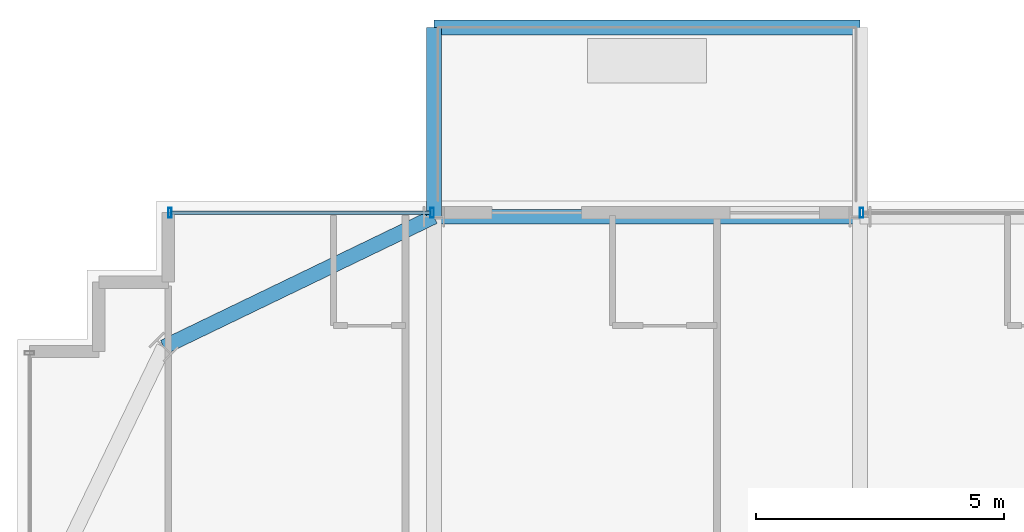
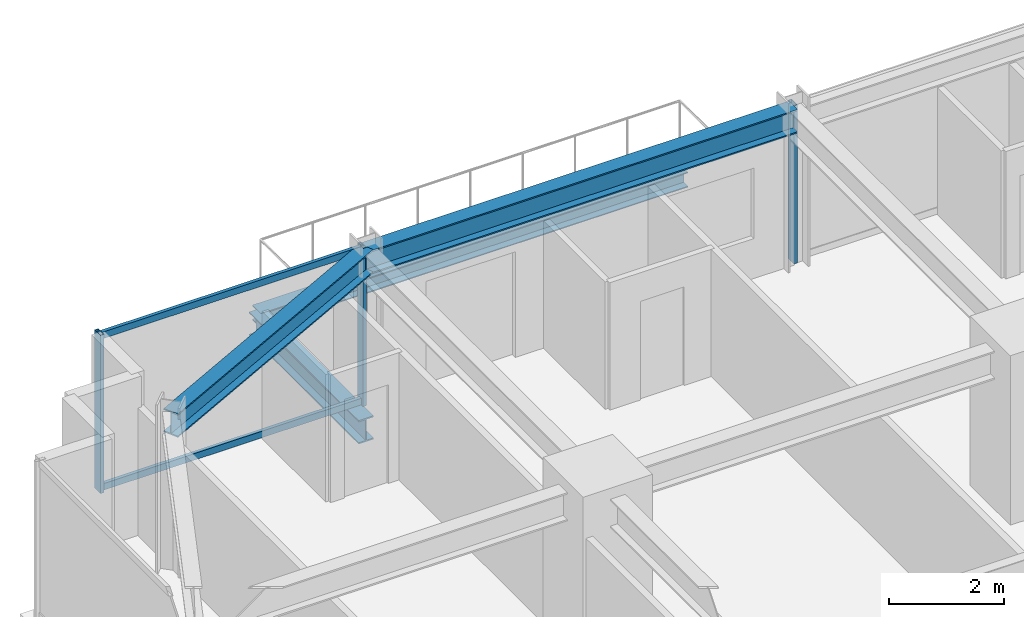
# One storey, part 27 of 41: 5 members, 4 beams, 2 elements without a shape of their own.
"""IFC4 building model written with IfcOpenShell, lengths in metres."""

from ifc_helpers import new_model, si_unit, direction, frame, origin, origin_2d, place, context, subcontext, project, spatial, hollow_rectangle, i_section, extrude, source, transform, mapped, material, material_profile, profile_set, type_object, element, aggregate, save


model = new_model("IFC4")

# Units and contexts
model_context = context("Model", 3, precision=1e-05, world=origin(), true_north=direction((0.0, 1.0)))
body_context = subcontext(model_context, "Body", "Model", "MODEL_VIEW")
ifc_project = project(units=[si_unit("LENGTHUNIT", "METRE"), si_unit("AREAUNIT", "SQUARE_METRE"), si_unit("VOLUMEUNIT", "CUBIC_METRE"), si_unit("PLANEANGLEUNIT", "RADIAN"), si_unit("MASSUNIT", "GRAM", prefix="KILO")], contexts=[model_context])

# Site, building, storey
site_placement = place(None, origin())
site = spatial("IfcSite", under=ifc_project, at=site_placement, CompositionType="ELEMENT")
building_placement = place(site_placement, origin())
building = spatial("IfcBuilding", under=site, at=building_placement, Name="Nahalor Promenade Grand Hotel", CompositionType="ELEMENT")
storey_placement = place(building_placement, frame((0.0, 0.0, 54.300048828125)))
storey = spatial("IfcBuildingStorey", under=building, at=storey_placement, Name="L12", CompositionType="ELEMENT", Elevation=54.300048828125)

# Beams
ifc_material_1 = material(Name="Steel S355JR", Category="steel")
ifc_material_profile_1 = material_profile(ifc_material_1, i_section(OverallWidth=0.3, OverallDepth=0.32, WebThickness=0.0115, FlangeThickness=0.0205, at=origin_2d()), Name="HEB 320")
ifc_profile_set_1 = profile_set([ifc_material_profile_1], Name="Steel S355JR")
beam_type_1 = type_object("IfcBeamType", Name="Beam-BalcEdge-HEB320", PredefinedType="SPANDREL", material=ifc_profile_set_1)
shared_shape_1 = source(origin(), body_context, "Body", "SweptSolid", [
    extrude(i_section(OverallWidth=0.3, OverallDepth=0.32, WebThickness=0.0115, FlangeThickness=0.0205, at=origin_2d()), origin(), (0.0, 0.0, 1.0), 8.60009765625),
])
beam_1_placement = place(storey_placement, frame((-17.0, 28.89990234375, -0.43994140625), z_axis=(1.0, 0.0, 0.0), x_axis=(0.0, 1.0, 0.0)))
element("IfcBeam", 1, at=beam_1_placement, inside=storey, type_object=beam_type_1, Name="BM-L12-BC-01-F", PredefinedType="SPANDREL", context=body_context, shape_type="MappedRepresentation", body=[
    mapped(shared_shape_1, transform((0.0, 0.0, 0.0), scale=1.0)),
])
ifc_material_profile_2 = material_profile(ifc_material_1, i_section(OverallWidth=0.3, OverallDepth=0.5, WebThickness=0.0145, FlangeThickness=0.028, at=origin_2d()), Name="HEB 500")
ifc_profile_set_2 = profile_set([ifc_material_profile_2], Name="Steel S355JR")
beam_type_2 = type_object("IfcBeamType", Name="Beam-Outrigger-HEB500", PredefinedType="BEAM", material=ifc_profile_set_2)
shared_shape_2 = source(origin(), body_context, "Body", "SweptSolid", [
    extrude(i_section(OverallWidth=0.3, OverallDepth=0.5, WebThickness=0.0145, FlangeThickness=0.028, at=origin_2d()), origin(), (0.0, 0.0, 1.0), 3.81982421875),
])
beam_2_placement = place(storey_placement, frame((-17.0, 25.080078125, -0.530029296875), z_axis=(0.0, 1.0, 0.0), x_axis=(-1.0, 0.0, 0.0)))
element("IfcBeam", 2, at=beam_2_placement, inside=storey, type_object=beam_type_2, Name="BM-L12-BC-01-1", PredefinedType="BEAM", context=body_context, shape_type="MappedRepresentation", body=[
    mapped(shared_shape_2, transform((0.0, 0.0, 0.0), scale=1.0)),
])
ifc_material_profile_3 = material_profile(ifc_material_1, i_section(OverallWidth=0.3, OverallDepth=0.5, WebThickness=0.0145, FlangeThickness=0.028, at=origin_2d()), Name="HEB 500")
ifc_profile_set_3 = profile_set([ifc_material_profile_3], Name="Steel S355JR")
beam_type_3 = type_object("IfcBeamType", Name="Beam-Spandrel-HEB500", PredefinedType="SPANDREL", material=ifc_profile_set_3)
shared_shape_3 = source(origin(), body_context, "Body", "SweptSolid", [
    extrude(i_section(OverallWidth=0.3, OverallDepth=0.5, WebThickness=0.0145, FlangeThickness=0.028, at=origin_2d()), origin(), (0.0, 0.0, 1.0), 8.60009765625),
])
beam_3_placement = place(storey_placement, frame((-17.0, 25.080078125, 3.119873046875), z_axis=(1.0, 0.0, 0.0), x_axis=(0.0, 1.0, 0.0)))
element("IfcBeam", 3, at=beam_3_placement, inside=storey, type_object=beam_type_3, Name="BM-L12-SP-N-0", PredefinedType="SPANDREL", context=body_context, shape_type="MappedRepresentation", body=[
    mapped(shared_shape_3, transform((0.0, 0.0, 0.0), scale=1.0)),
])
shared_shape_4 = source(origin(), body_context, "Body", "SweptSolid", [
    extrude(i_section(OverallWidth=0.3, OverallDepth=0.5, WebThickness=0.0145, FlangeThickness=0.028, at=origin_2d()), origin(), (0.0, 0.0, 1.0), 6.051513671875),
])
beam_4_placement = place(storey_placement, frame((-17.0, 25.080078125, 3.119873046875), z_axis=(-0.900608818852, -0.434630596492, 0.0), x_axis=(0.434630596492, -0.900608818852, 0.0)))
element("IfcBeam", 4, at=beam_4_placement, inside=storey, type_object=beam_type_3, Name="BM-L12-SPC-NW-1", PredefinedType="SPANDREL", context=body_context, shape_type="MappedRepresentation", body=[
    mapped(shared_shape_4, transform((0.0, 0.0, 0.0), scale=1.0)),
])

# Curtain wall, members
ifc_material_2 = material(Name="Anodised Bronze Aluminium EN AW-6063 T6", Category="aluminium")
curtain_wall_type = type_object("IfcCurtainWallType", Name="CW3 Elliptical-Void Collar Unitised Curtain Wall", PredefinedType="USERDEFINED", material=ifc_material_2)
curtain_wall_1_placement = place(storey_placement, origin())
curtain_wall_1 = element("IfcCurtainWall", 5, at=curtain_wall_1_placement, inside=storey, type_object=curtain_wall_type, Name="L12 Curtain Wall CW-L12-N-1", ObjectType="UNITISED_CURTAIN_WALL", PredefinedType="USERDEFINED")
ifc_material_profile_4 = material_profile(ifc_material_2, hollow_rectangle(XDim=0.07, YDim=0.2, WallThickness=0.005, at=origin_2d()), Name="CWM 70x200x5")
ifc_profile_set_4 = profile_set([ifc_material_profile_4], Name="Anodised Bronze Aluminium EN AW-6063 T6")
member_type_1 = type_object("IfcMemberType", Name="CWM3 Void Collar Mullion 70x200", PredefinedType="MULLION", material=ifc_profile_set_4)
shared_shape_5 = source(origin(), body_context, "Body", "SweptSolid", [
    extrude(hollow_rectangle(XDim=0.07, YDim=0.2, WallThickness=0.005, at=origin_2d()), origin(), (0.0, 0.0, 1.0), 3.369873046875),
])
member_1_placement = place(storey_placement, frame((-22.324951171875, 25.159912109375, 0.0), z_axis=(0.0, 0.0, 1.0), x_axis=(1.0, 0.0, 0.0)))
member_1 = element("IfcMember", 6, at=member_1_placement, type_object=member_type_1, Name="CW-L12-N-1 Mullion 0", PredefinedType="MULLION", context=body_context, shape_type="MappedRepresentation", body=[
    mapped(shared_shape_5, transform((0.0, 0.0, 0.0), scale=1.0)),
])
member_2_placement = place(storey_placement, frame((-17.034912109375, 25.159912109375, 0.0), z_axis=(0.0, 0.0, 1.0), x_axis=(1.0, 0.0, 0.0)))
member_2 = element("IfcMember", 7, at=member_2_placement, type_object=member_type_1, Name="CW-L12-N-1 Mullion 1", PredefinedType="MULLION", context=body_context, shape_type="MappedRepresentation", body=[
    mapped(shared_shape_5, transform((0.0, 0.0, 0.0), scale=1.0)),
])

# Curtain wall, member
curtain_wall_2_placement = place(storey_placement, origin())
curtain_wall_2 = element("IfcCurtainWall", 8, at=curtain_wall_2_placement, inside=storey, type_object=curtain_wall_type, Name="L12 Curtain Wall CW-L12-N-3", ObjectType="UNITISED_CURTAIN_WALL", PredefinedType="USERDEFINED")
member_3_placement = place(storey_placement, frame((-8.364990234375, 25.159912109375, 0.0), z_axis=(0.0, 0.0, 1.0), x_axis=(1.0, 0.0, 0.0)))
member_3 = element("IfcMember", 9, at=member_3_placement, type_object=member_type_1, Name="CW-L12-N-3 Mullion 0", PredefinedType="MULLION", context=body_context, shape_type="MappedRepresentation", body=[
    mapped(shared_shape_5, transform((0.0, 0.0, 0.0), scale=1.0)),
])
aggregate(curtain_wall_2, [member_3])

# Member
ifc_material_profile_5 = material_profile(ifc_material_2, hollow_rectangle(XDim=0.07, YDim=0.14, WallThickness=0.004, at=origin_2d()), Name="CWT 70x140x4")
ifc_profile_set_5 = profile_set([ifc_material_profile_5], Name="Anodised Bronze Aluminium EN AW-6063 T6")
member_type_2 = type_object("IfcMemberType", Name="CWT3 Void Collar Transom 70x140", PredefinedType="USERDEFINED", material=ifc_profile_set_5)
shared_shape_6 = source(origin(), body_context, "Body", "SweptSolid", [
    extrude(hollow_rectangle(XDim=0.07, YDim=0.14, WallThickness=0.004, at=origin_2d()), origin(), (0.0, 0.0, 1.0), 5.219970703125),
])
member_4_placement = place(storey_placement, frame((-22.2900390625, 25.159912109375, 0.070068359375), z_axis=(1.0, 0.0, 0.0), x_axis=(0.0, 1.0, 0.0)))
member_4 = element("IfcMember", 10, at=member_4_placement, type_object=member_type_2, Name="CW-L12-N-1 Transom 0-0", ObjectType="TRANSOM", PredefinedType="USERDEFINED", context=body_context, shape_type="MappedRepresentation", body=[
    mapped(shared_shape_6, transform((0.0, 0.0, 0.0), scale=1.0)),
])

member_5_placement = place(storey_placement, frame((-22.2900390625, 25.159912109375, 3.300048828125), z_axis=(1.0, 0.0, 0.0), x_axis=(0.0, 1.0, 0.0)))
member_5 = element("IfcMember", 11, at=member_5_placement, type_object=member_type_2, Name="CW-L12-N-1 Transom 0-1", ObjectType="TRANSOM", PredefinedType="USERDEFINED", context=body_context, shape_type="MappedRepresentation", body=[
    mapped(shared_shape_6, transform((0.0, 0.0, 0.0), scale=1.0)),
])

aggregate(curtain_wall_1, [member_1, member_2, member_4, member_5])

save(model, "model.ifc")
